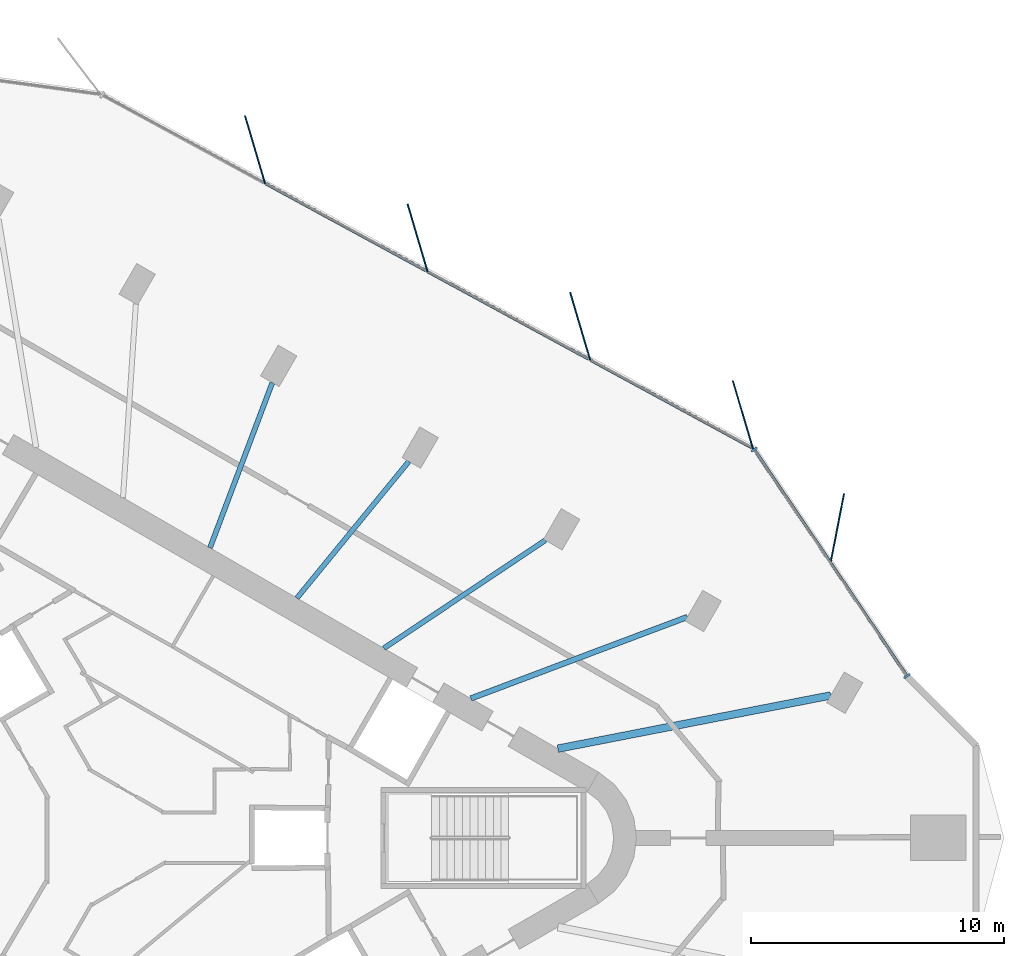
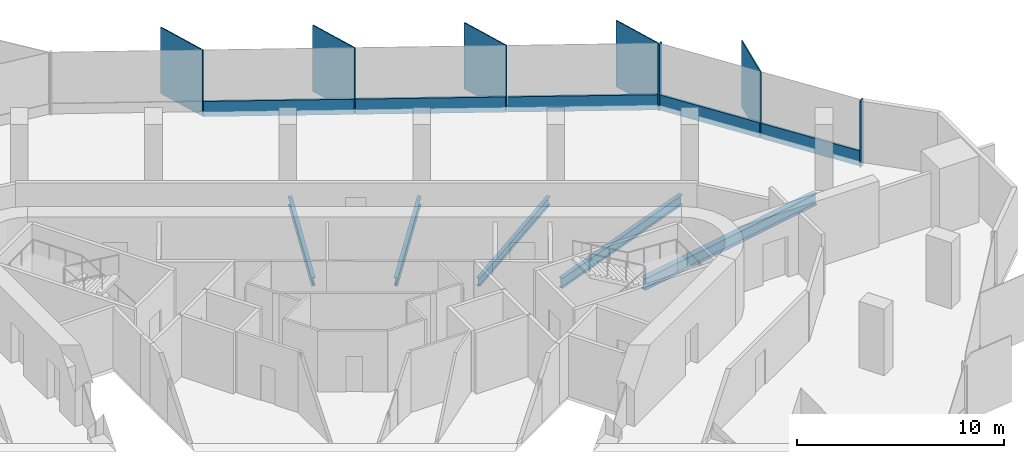
# One storey, part 5 of 12: 12 members, 5 beams, 2 elements without a shape of their own.
"""IFC4 building model written with IfcOpenShell, lengths in metres."""

from ifc_helpers import new_model, si_unit, direction, frame, origin, origin_2d, place, context, subcontext, project, spatial, rectangle, i_section, extrude, material, material_profile, profile_set, type_object, element, aggregate, save


model = new_model("IFC4")

# Units and contexts
model_context = context("Model", 3, precision=1e-05, world=origin(), true_north=direction((0.0, 1.0)))
body_context = subcontext(model_context, "Body", "Model", "MODEL_VIEW")
ifc_project = project(units=[si_unit("LENGTHUNIT", "METRE"), si_unit("AREAUNIT", "SQUARE_METRE"), si_unit("VOLUMEUNIT", "CUBIC_METRE"), si_unit("PLANEANGLEUNIT", "RADIAN"), si_unit("MASSUNIT", "GRAM", prefix="KILO")], contexts=[model_context])

# Site, building, storey
site_placement = place(None, origin())
site = spatial("IfcSite", under=ifc_project, at=site_placement, CompositionType="ELEMENT")
building_placement = place(site_placement, origin())
building = spatial("IfcBuilding", under=site, at=building_placement, Name="Tanit Gate Tower", CompositionType="ELEMENT")
storey_placement = place(building_placement, frame((0.0, 0.0, 353.300048828125)))
storey = spatial("IfcBuildingStorey", under=building, at=storey_placement, Name="L80", CompositionType="ELEMENT", Elevation=353.300048828125)

# Curtain wall, member
ifc_material_1 = material(Name="Aluminium bronze anodised and glass", Category="aluminium")
curtain_wall_type = type_object("IfcCurtainWallType", Name="Curtain wall typical high", PredefinedType="NOTDEFINED", material=ifc_material_1)
curtain_wall_1_placement = place(storey_placement, origin())
curtain_wall_1 = element("IfcCurtainWall", 1, at=curtain_wall_1_placement, inside=storey, type_object=curtain_wall_type, Name="Curtain wall L80 NE1", PredefinedType="NOTDEFINED")
ifc_material_2 = material(Name="Aluminium bronze anodised", Category="aluminium")
ifc_material_profile_1 = material_profile(ifc_material_2, rectangle(XDim=2.800048828125, YDim=0.055908203125, at=origin_2d()), Name="56x2800 bronze fin mullion")
ifc_profile_set_1 = profile_set([ifc_material_profile_1], Name="Aluminium bronze anodised")
member_type_1 = type_object("IfcMemberType", Name="FIN MULLION 56x2800 bronze", PredefinedType="MULLION", material=ifc_profile_set_1)
member_1_placement = place(storey_placement, frame((29.1435546875, 12.238525390625, -0.300048828125), z_axis=(0.0, 0.0, 1.0), x_axis=(-0.190862727033, -0.981616737545, 0.0)))
member_1 = element("IfcMember", 2, at=member_1_placement, type_object=member_type_1, Name="Fin mullion L80 NE1.2", PredefinedType="MULLION", context=body_context, shape_type="SweptSolid", body=[
    extrude(rectangle(XDim=2.800048828125, YDim=0.055908203125, at=origin_2d()), origin(), (0.0, 0.0, 1.0), 3.89990234375),
])

# Curtain wall, members
curtain_wall_2_placement = place(storey_placement, origin())
curtain_wall_2 = element("IfcCurtainWall", 3, at=curtain_wall_2_placement, inside=storey, type_object=curtain_wall_type, Name="Curtain wall L80 NE2", PredefinedType="NOTDEFINED")
member_2_placement = place(storey_placement, frame((25.409423828125, 16.739501953125, -0.300048828125), z_axis=(0.0, 0.0, 1.0), x_axis=(0.28377270479, -0.958891574692, 0.0)))
member_2 = element("IfcMember", 4, at=member_2_placement, type_object=member_type_1, Name="Fin mullion L80 NE2.1", PredefinedType="MULLION", context=body_context, shape_type="SweptSolid", body=[
    extrude(rectangle(XDim=2.800048828125, YDim=0.055908203125, at=origin_2d()), origin(), (0.0, 0.0, 1.0), 3.89990234375),
])
member_3_placement = place(storey_placement, frame((18.9765625, 20.234375, -0.300048828125), z_axis=(0.0, 0.0, 1.0), x_axis=(0.28377270479, -0.958891574692, 0.0)))
member_3 = element("IfcMember", 5, at=member_3_placement, type_object=member_type_1, Name="Fin mullion L80 NE2.2", PredefinedType="MULLION", context=body_context, shape_type="SweptSolid", body=[
    extrude(rectangle(XDim=2.800048828125, YDim=0.055908203125, at=origin_2d()), origin(), (0.0, 0.0, 1.0), 3.89990234375),
])
member_4_placement = place(storey_placement, frame((12.543701171875, 23.729248046875, -0.300048828125), z_axis=(0.0, 0.0, 1.0), x_axis=(0.28377270479, -0.958891574692, 0.0)))
member_4 = element("IfcMember", 6, at=member_4_placement, type_object=member_type_1, Name="Fin mullion L80 NE2.3", PredefinedType="MULLION", context=body_context, shape_type="SweptSolid", body=[
    extrude(rectangle(XDim=2.800048828125, YDim=0.055908203125, at=origin_2d()), origin(), (0.0, 0.0, 1.0), 3.89990234375),
])
member_5_placement = place(storey_placement, frame((6.11083984375, 27.22412109375, -0.300048828125), z_axis=(0.0, 0.0, 1.0), x_axis=(0.28377270479, -0.958891574692, 0.0)))
member_5 = element("IfcMember", 7, at=member_5_placement, type_object=member_type_1, Name="Fin mullion L80 NE2.4", PredefinedType="MULLION", context=body_context, shape_type="SweptSolid", body=[
    extrude(rectangle(XDim=2.800048828125, YDim=0.055908203125, at=origin_2d()), origin(), (0.0, 0.0, 1.0), 3.89990234375),
])

# Member
ifc_material_3 = material(Name="Aluminium bronze anodised", Category="aluminium")
ifc_material_profile_2 = material_profile(ifc_material_3, rectangle(XDim=0.280029296875, YDim=0.080078125, at=origin_2d()), Name="80x280 bronze mullion")
ifc_profile_set_2 = profile_set([ifc_material_profile_2], Name="Aluminium bronze anodised")
member_type_2 = type_object("IfcMemberType", Name="Mullion 80x280 typical high", PredefinedType="MULLION", material=ifc_profile_set_2)
member_6_placement = place(storey_placement, frame((31.90185546875, 6.4033203125, -0.300048828125), z_axis=(0.0, 0.0, 1.0), x_axis=(-0.829068180206, -0.559147523084, 0.0)))
member_6 = element("IfcMember", 8, at=member_6_placement, type_object=member_type_2, Name="Mullion L80 NE1.1", PredefinedType="MULLION", context=body_context, shape_type="SweptSolid", body=[
    extrude(rectangle(XDim=0.280029296875, YDim=0.080078125, at=origin_2d()), origin(), (0.0, 0.0, 1.0), 3.89990234375),
])

member_7_placement = place(storey_placement, frame((25.858642578125, 15.36376953125, -0.300048828125), z_axis=(0.0, 0.0, 1.0), x_axis=(-0.829068180206, -0.559147523084, 0.0)))
member_7 = element("IfcMember", 9, at=member_7_placement, type_object=member_type_2, Name="Mullion L80 NE1.3", PredefinedType="MULLION", context=body_context, shape_type="SweptSolid", body=[
    extrude(rectangle(XDim=0.280029296875, YDim=0.080078125, at=origin_2d()), origin(), (0.0, 0.0, 1.0), 3.89990234375),
])

# Beams
ifc_material_4 = material(Name="Steel S355", Category="steel")
ifc_material_profile_3 = material_profile(ifc_material_4, i_section(OverallWidth=0.300048828125, OverallDepth=0.68994140625, WebThickness=0.014404296875, FlangeThickness=0.027099609375, FilletRadius=0.027099609375, at=origin_2d()), Name="HEA 700")
ifc_profile_set_3 = profile_set([ifc_material_profile_3], Name="Steel S355")
beam_type_1 = type_object("IfcBeamType", Name="RADIAL GIRDER HEA 700 S355", PredefinedType="BEAM", material=ifc_profile_set_3)
beam_1_placement = place(storey_placement, frame((28.885498046875, 5.6337890625, -0.64501953125), z_axis=(-0.981508704714, -0.191417508528, 0.0), x_axis=(0.191417508528, -0.981508704714, 0.0)))
element("IfcBeam", 10, at=beam_1_placement, inside=storey, type_object=beam_type_1, Name="RADIAL GIRDER", PredefinedType="BEAM", context=body_context, shape_type="SweptSolid", body=[
    extrude(i_section(OverallWidth=0.300048828125, OverallDepth=0.68994140625, WebThickness=0.014404296875, FlangeThickness=0.027099609375, FilletRadius=0.027099609375, at=origin_2d()), origin(), (0.0, 0.0, 1.0), 10.996826171875),
])
ifc_material_5 = material(Name="Steel S355", Category="steel")
ifc_material_profile_4 = material_profile(ifc_material_5, i_section(OverallWidth=0.199951171875, OverallDepth=0.5, WebThickness=0.01025390625, FlangeThickness=0.01611328125, FilletRadius=0.02099609375, at=origin_2d()), Name="IPE 500")
ifc_profile_set_4 = profile_set([ifc_material_profile_4], Name="Steel S355")
beam_type_2 = type_object("IfcBeamType", Name="RADIAL GIRDER IPE 500 S355", PredefinedType="BEAM", material=ifc_profile_set_4)
beam_2_placement = place(storey_placement, frame((17.59423828125, 11.771728515625, -0.550048828125), z_axis=(-0.831129673439, -0.556078650849, 0.0), x_axis=(0.556078650849, -0.831129673439, 0.0)))
element("IfcBeam", 11, at=beam_2_placement, inside=storey, type_object=beam_type_2, Name="RADIAL GIRDER", PredefinedType="BEAM", context=body_context, shape_type="SweptSolid", body=[
    extrude(i_section(OverallWidth=0.199951171875, OverallDepth=0.5, WebThickness=0.01025390625, FlangeThickness=0.01611328125, FilletRadius=0.02099609375, at=origin_2d()), origin(), (0.0, 0.0, 1.0), 7.6796875),
])
beam_3_placement = place(storey_placement, frame((12.1953125, 14.888916015625, -0.550048828125), z_axis=(-0.633668026137, -0.773605088305, 0.0), x_axis=(0.773605088305, -0.633668026137, 0.0)))
element("IfcBeam", 12, at=beam_3_placement, inside=storey, type_object=beam_type_2, Name="RADIAL GIRDER", PredefinedType="BEAM", context=body_context, shape_type="SweptSolid", body=[
    extrude(i_section(OverallWidth=0.199951171875, OverallDepth=0.5, WebThickness=0.01025390625, FlangeThickness=0.01611328125, FilletRadius=0.02099609375, at=origin_2d()), origin(), (0.0, 0.0, 1.0), 6.982177734375),
])
beam_4_placement = place(storey_placement, frame((6.79638671875, 18.005859375, -0.550048828125), z_axis=(-0.353142148435, -0.935569678324, 0.0), x_axis=(0.935569678324, -0.353142148435, 0.0)))
element("IfcBeam", 13, at=beam_4_placement, inside=storey, type_object=beam_type_2, Name="RADIAL GIRDER", PredefinedType="BEAM", context=body_context, shape_type="SweptSolid", body=[
    extrude(i_section(OverallWidth=0.199951171875, OverallDepth=0.5, WebThickness=0.01025390625, FlangeThickness=0.01611328125, FilletRadius=0.02099609375, at=origin_2d()), origin(), (0.0, 0.0, 1.0), 6.98193359375),
])
ifc_material_6 = material(Name="Steel S355", Category="steel")
ifc_material_profile_5 = material_profile(ifc_material_6, i_section(OverallWidth=0.219970703125, OverallDepth=0.60009765625, WebThickness=0.011962890625, FlangeThickness=0.01904296875, FilletRadius=0.02392578125, at=origin_2d()), Name="IPE 600")
ifc_profile_set_5 = profile_set([ifc_material_profile_5], Name="Steel S355")
beam_type_3 = type_object("IfcBeamType", Name="RADIAL GIRDER IPE 600 S355", PredefinedType="BEAM", material=ifc_profile_set_5)
beam_5_placement = place(storey_placement, frame((23.213623046875, 8.73779296875, -0.60009765625), z_axis=(-0.935888654917, -0.352295934688, 0.0), x_axis=(0.352295934688, -0.935888654917, 0.0)))
element("IfcBeam", 14, at=beam_5_placement, inside=storey, type_object=beam_type_3, Name="RADIAL GIRDER", PredefinedType="BEAM", context=body_context, shape_type="SweptSolid", body=[
    extrude(i_section(OverallWidth=0.219970703125, OverallDepth=0.60009765625, WebThickness=0.011962890625, FlangeThickness=0.01904296875, FilletRadius=0.02392578125, at=origin_2d()), origin(), (0.0, 0.0, 1.0), 9.148193359375),
])

# Member
ifc_material_7 = material(Name="Aluminium bronze anodised", Category="aluminium")
ifc_material_profile_6 = material_profile(ifc_material_7, rectangle(XDim=0.1201171875, YDim=0.89990234375, at=origin_2d()), Name="120x900 bronze transom")
ifc_profile_set_6 = profile_set([ifc_material_profile_6], Name="Aluminium bronze anodised")
member_type_3 = type_object("IfcMemberType", Name="Transom 120x900 typical high", PredefinedType="USERDEFINED", material=ifc_profile_set_6)
member_8_placement = place(storey_placement, frame((31.87939453125, 6.4365234375, 0.14990234375), z_axis=(-0.559147532642, 0.829068173759, 0.0), x_axis=(-0.829068173759, -0.559147532642, 0.0)))
member_8 = element("IfcMember", 15, at=member_8_placement, type_object=member_type_3, Name="Transom L80 NE1.1", ObjectType="TRANSOM", PredefinedType="USERDEFINED", context=body_context, shape_type="SweptSolid", body=[
    extrude(rectangle(XDim=0.1201171875, YDim=0.89990234375, at=origin_2d()), origin(), (0.0, 0.0, 1.0), 5.32373046875),
])

member_9_placement = place(storey_placement, frame((28.85791015625, 10.916748046875, 0.14990234375), z_axis=(-0.559157794187, 0.829061252985, 0.0), x_axis=(-0.829061252985, -0.559157794187, 0.0)))
member_9 = element("IfcMember", 16, at=member_9_placement, type_object=member_type_3, Name="Transom L80 NE1.2", ObjectType="TRANSOM", PredefinedType="USERDEFINED", context=body_context, shape_type="SweptSolid", body=[
    extrude(rectangle(XDim=0.1201171875, YDim=0.89990234375, at=origin_2d()), origin(), (0.0, 0.0, 1.0), 5.32421875),
])

aggregate(curtain_wall_1, [member_6, member_1, member_7, member_8, member_9])

member_10_placement = place(storey_placement, frame((25.765869140625, 15.435302734375, 0.14990234375), z_axis=(-0.878703531798, 0.477367890841, 0.0), x_axis=(-0.477367890841, -0.878703531798, 0.0)))
member_10 = element("IfcMember", 17, at=member_10_placement, type_object=member_type_3, Name="Transom L80 NE2.1", ObjectType="TRANSOM", PredefinedType="USERDEFINED", context=body_context, shape_type="SweptSolid", body=[
    extrude(rectangle(XDim=0.1201171875, YDim=0.89990234375, at=origin_2d()), origin(), (0.0, 0.0, 1.0), 7.24072265625),
])

member_11_placement = place(storey_placement, frame((19.3330078125, 18.93017578125, 0.14990234375), z_axis=(-0.878703531798, 0.477367890841, 0.0), x_axis=(-0.477367890841, -0.878703531798, 0.0)))
member_11 = element("IfcMember", 18, at=member_11_placement, type_object=member_type_3, Name="Transom L80 NE2.2", ObjectType="TRANSOM", PredefinedType="USERDEFINED", context=body_context, shape_type="SweptSolid", body=[
    extrude(rectangle(XDim=0.1201171875, YDim=0.89990234375, at=origin_2d()), origin(), (0.0, 0.0, 1.0), 7.24072265625),
])

member_12_placement = place(storey_placement, frame((12.900146484375, 22.4248046875, 0.14990234375), z_axis=(-0.878689388466, 0.477393923921, 0.0), x_axis=(-0.477393923921, -0.878689388466, 0.0)))
member_12 = element("IfcMember", 19, at=member_12_placement, type_object=member_type_3, Name="Transom L80 NE2.3", ObjectType="TRANSOM", PredefinedType="USERDEFINED", context=body_context, shape_type="SweptSolid", body=[
    extrude(rectangle(XDim=0.1201171875, YDim=0.89990234375, at=origin_2d()), origin(), (0.0, 0.0, 1.0), 7.240966796875),
])

aggregate(curtain_wall_2, [member_2, member_3, member_4, member_5, member_10, member_11, member_12])

save(model, "model.ifc")
